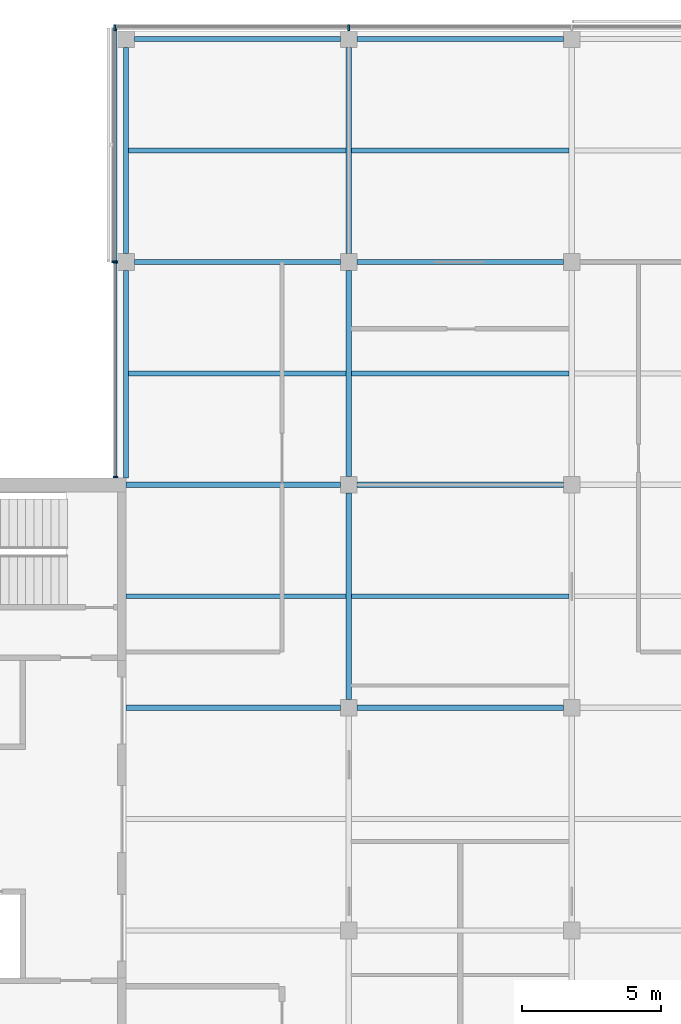
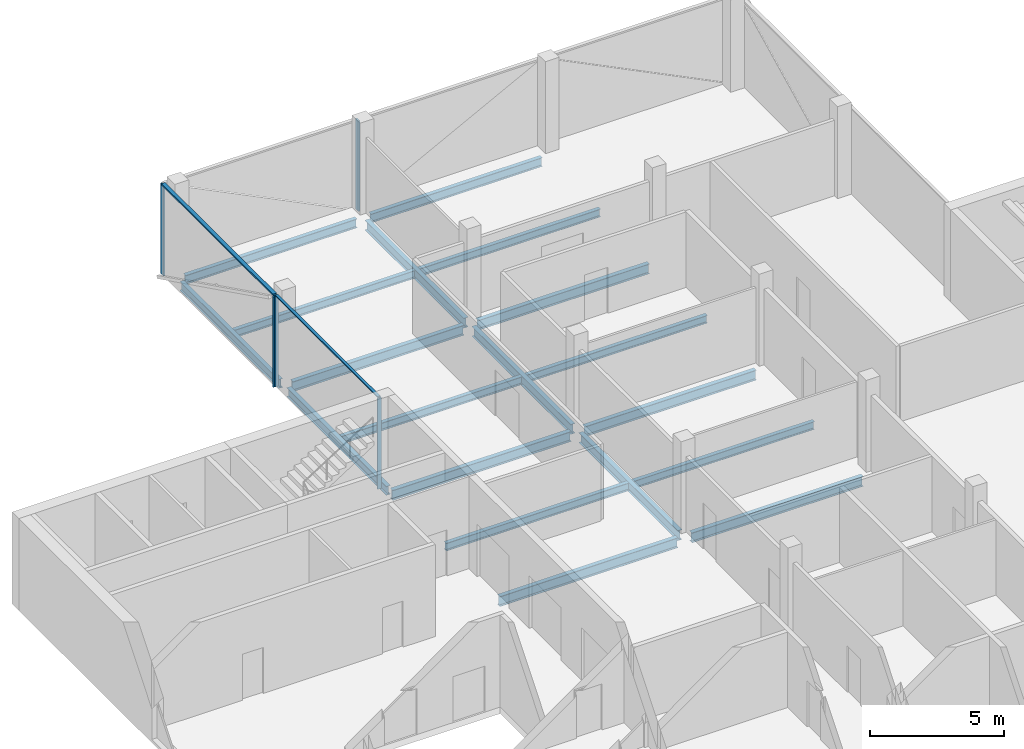
# One storey, part 5 of 15: 19 beams, 7 members, 3 elements without a shape of their own.
"""IFC4 building model written with IfcOpenShell, lengths in metres."""

from ifc_helpers import new_model, si_unit, direction, frame, origin, origin_2d, place, context, subcontext, project, spatial, rectangle, i_section, extrude, material, material_profile, profile_set, type_object, element, aggregate, save


model = new_model("IFC4")

# Units and contexts
model_context = context("Model", 3, precision=1e-05, world=origin(), true_north=direction((0.0, 1.0)))
body_context = subcontext(model_context, "Body", "Model", "MODEL_VIEW")
ifc_project = project(units=[si_unit("LENGTHUNIT", "METRE"), si_unit("AREAUNIT", "SQUARE_METRE"), si_unit("VOLUMEUNIT", "CUBIC_METRE"), si_unit("PLANEANGLEUNIT", "RADIAN"), si_unit("MASSUNIT", "GRAM", prefix="KILO")], contexts=[model_context])

# Site, building, storey
site_placement = place(None, origin())
site = spatial("IfcSite", under=ifc_project, at=site_placement, CompositionType="ELEMENT")
building_placement = place(site_placement, origin())
building = spatial("IfcBuilding", under=site, at=building_placement, Name="Crosswind Convention Tower", CompositionType="ELEMENT")
storey_placement = place(building_placement, frame((0.0, 0.0, 319.699951171875)))
storey = spatial("IfcBuildingStorey", under=building, at=storey_placement, Name="L69", CompositionType="ELEMENT", Elevation=319.699951171875)

# Beams
ifc_material_1 = material(Name="Steel S355", Category="steel")
ifc_material_profile_1 = material_profile(ifc_material_1, i_section(OverallWidth=0.177734375, OverallDepth=0.406494140625, WebThickness=0.0078125, FlangeThickness=0.0126953125, FilletRadius=0.01025390625, at=origin_2d()), Name="UB 406x178x60")
ifc_profile_set_1 = profile_set([ifc_material_profile_1], Name="Steel S355")
beam_type_1 = type_object("IfcBeamType", Name="Edge beam UB 406x178x60", PredefinedType="SPANDREL", material=ifc_profile_set_1)
beam_1_placement = place(storey_placement, frame((113.0, 112.25, -0.503173828125), z_axis=(0.0, 1.0, 0.0), x_axis=(-1.0, 0.0, 0.0)))
element("IfcBeam", 1, at=beam_1_placement, inside=storey, type_object=beam_type_1, Name="B15 L69 edge beam 3", PredefinedType="SPANDREL", context=body_context, shape_type="SweptSolid", body=[
    extrude(i_section(OverallWidth=0.177734375, OverallDepth=0.406494140625, WebThickness=0.0078125, FlangeThickness=0.0126953125, FilletRadius=0.01025390625, at=origin_2d()), origin(), (0.0, 0.0, 1.0), 7.449951171875),
])
for number, where, z_axis, x_axis, name in (
    (2, (113.0, 120.300048828125, -0.503173828125), (0.0, 1.0, 0.0), (-1.0, 0.0, 0.0), "B15 L69 edge beam 4"),
    (3, (113.300048828125, 128.0, -0.503173828125), (1.0, 0.0, 0.0), (0.0, 1.0, 0.0), "B15 L69 edge beam 6"),
    (4, (121.300048828125, 128.0, -0.503173828125), (1.0, 0.0, 0.0), (0.0, 1.0, 0.0), "B15 L69 edge beam 8"),
):
    element("IfcBeam", number, at=place(storey_placement, frame(where, z_axis=z_axis, x_axis=x_axis)), inside=storey, type_object=beam_type_1, Name=name, PredefinedType="SPANDREL", context=body_context, shape_type="SweptSolid", body=[
        extrude(i_section(OverallWidth=0.177734375, OverallDepth=0.406494140625, WebThickness=0.0078125, FlangeThickness=0.0126953125, FilletRadius=0.01025390625, at=origin_2d()), origin(), (0.0, 0.0, 1.0), 7.39990234375),
    ])
ifc_material_profile_2 = material_profile(ifc_material_1, i_section(OverallWidth=0.18994140625, OverallDepth=0.45361328125, WebThickness=0.008544921875, FlangeThickness=0.0126953125, FilletRadius=0.01025390625, at=origin_2d()), Name="UB 457x191x67")
ifc_profile_set_2 = profile_set([ifc_material_profile_2], Name="Steel S355")
beam_type_2 = type_object("IfcBeamType", Name="Girder UB 457x191x67", PredefinedType="BEAM", material=ifc_profile_set_2)
for number, where, z_axis, x_axis, name in (
    (5, (113.300048828125, 120.0, -0.52685546875), (1.0, 0.0, 0.0), (0.0, 1.0, 0.0), "B1 L69 girder 2"),
    (6, (121.0, 104.300048828125, -0.52685546875), (0.0, 1.0, 0.0), (-1.0, 0.0, 0.0), "B1 L69 girder 7"),
    (7, (121.0, 112.300048828125, -0.52685546875), (0.0, 1.0, 0.0), (-1.0, 0.0, 0.0), "B1 L69 girder 8"),
    (8, (121.0, 120.300048828125, -0.52685546875), (0.0, 1.0, 0.0), (-1.0, 0.0, 0.0), "B1 L69 girder 9"),
    (9, (121.300048828125, 104.0, -0.52685546875), (1.0, 0.0, 0.0), (0.0, 1.0, 0.0), "B1 L69 girder 13"),
    (10, (121.300048828125, 112.0, -0.52685546875), (1.0, 0.0, 0.0), (0.0, 1.0, 0.0), "B1 L69 girder 14"),
    (11, (121.300048828125, 120.0, -0.52685546875), (1.0, 0.0, 0.0), (0.0, 1.0, 0.0), "B1 L69 girder 15"),
):
    element("IfcBeam", number, at=place(storey_placement, frame(where, z_axis=z_axis, x_axis=x_axis)), inside=storey, type_object=beam_type_2, Name=name, PredefinedType="BEAM", context=body_context, shape_type="SweptSolid", body=[
        extrude(i_section(OverallWidth=0.18994140625, OverallDepth=0.45361328125, WebThickness=0.008544921875, FlangeThickness=0.0126953125, FilletRadius=0.01025390625, at=origin_2d()), origin(), (0.0, 0.0, 1.0), 7.39990234375),
    ])
ifc_material_profile_3 = material_profile(ifc_material_1, i_section(OverallWidth=0.1904296875, OverallDepth=0.457275390625, WebThickness=0.009033203125, FlangeThickness=0.014404296875, FilletRadius=0.01025390625, at=origin_2d()), Name="UB 457x191x75")
ifc_profile_set_3 = profile_set([ifc_material_profile_3], Name="Steel S355")
beam_type_3 = type_object("IfcBeamType", Name="Girder at core wall UB 457x191x75", PredefinedType="BEAM", material=ifc_profile_set_3)
for number, where, z_axis, x_axis, name in (
    (12, (113.0, 104.0, -0.528564453125), (1.0, 0.0, 0.0), (0.0, 1.0, 0.0), "B22 L69 girder at core wall 3"),
    (13, (113.0, 112.0, -0.528564453125), (1.0, 0.0, 0.0), (0.0, 1.0, 0.0), "B22 L69 girder at core wall 4"),
):
    element("IfcBeam", number, at=place(storey_placement, frame(where, z_axis=z_axis, x_axis=x_axis)), inside=storey, type_object=beam_type_3, Name=name, PredefinedType="BEAM", context=body_context, shape_type="SweptSolid", body=[
        extrude(i_section(OverallWidth=0.1904296875, OverallDepth=0.457275390625, WebThickness=0.009033203125, FlangeThickness=0.014404296875, FilletRadius=0.01025390625, at=origin_2d()), origin(), (0.0, 0.0, 1.0), 7.699951171875),
    ])

# Curtain wall, members
ifc_material_2 = material(Name="Aluminium unitised curtain wall", Category="aluminium")
curtain_wall_type_1 = type_object("IfcCurtainWallType", Name="CORE END SLOT WALL 160", PredefinedType="USERDEFINED", material=ifc_material_2)
curtain_wall_1_placement = place(storey_placement, origin())
curtain_wall_1 = element("IfcCurtainWall", 14, at=curtain_wall_1_placement, inside=storey, type_object=curtain_wall_type_1, Name="CW6 L69 N-W.1-2 slot", ObjectType="UNITISED", PredefinedType="USERDEFINED")
ifc_material_3 = material(Name="Aluminium mullion", Category="aluminium")
ifc_material_profile_4 = material_profile(ifc_material_3, rectangle(XDim=0.159912109375, YDim=0.050048828125, at=origin_2d()), Name="AL 160X50")
ifc_profile_set_4 = profile_set([ifc_material_profile_4], Name="Aluminium mullion")
member_type_1 = type_object("IfcMemberType", Name="MULLION 50X160", PredefinedType="MULLION", material=ifc_profile_set_4)
member_1_placement = place(storey_placement, frame((112.6201171875, 119.97509765625, -0.300048828125), z_axis=(0.0, 0.0, 1.0), x_axis=(-1.0, 0.0, 0.0)))
member_1 = element("IfcMember", 15, at=member_1_placement, type_object=member_type_1, Name="CW6 mullion 1", PredefinedType="MULLION", context=body_context, shape_type="SweptSolid", body=[
    extrude(rectangle(XDim=0.159912109375, YDim=0.050048828125, at=origin_2d()), origin(), (0.0, 0.0, 1.0), 4.150146484375),
])
member_2_placement = place(storey_placement, frame((112.6201171875, 112.27490234375, -0.300048828125), z_axis=(0.0, 0.0, 1.0), x_axis=(-1.0, 0.0, 0.0)))
member_2 = element("IfcMember", 16, at=member_2_placement, type_object=member_type_1, Name="CW6 mullion 2", PredefinedType="MULLION", context=body_context, shape_type="SweptSolid", body=[
    extrude(rectangle(XDim=0.159912109375, YDim=0.050048828125, at=origin_2d()), origin(), (0.0, 0.0, 1.0), 4.150146484375),
])

curtain_wall_type_2 = type_object("IfcCurtainWallType", Name="OFFICE UNITISED WALL 220", PredefinedType="USERDEFINED", material=ifc_material_2)
curtain_wall_2_placement = place(storey_placement, origin())
curtain_wall_2 = element("IfcCurtainWall", 17, at=curtain_wall_2_placement, inside=storey, type_object=curtain_wall_type_2, Name="CW3 L69 N-TIP 1", ObjectType="UNITISED", PredefinedType="USERDEFINED")
ifc_material_profile_5 = material_profile(ifc_material_3, rectangle(XDim=0.219970703125, YDim=0.070068359375, at=origin_2d()), Name="AL 220X70")
ifc_profile_set_5 = profile_set([ifc_material_profile_5], Name="Aluminium mullion")
member_type_2 = type_object("IfcMemberType", Name="MULLION 70X220", PredefinedType="MULLION", material=ifc_profile_set_5)
member_3_placement = place(storey_placement, frame((121.0, 128.409912109375, -0.300048828125), z_axis=(0.0, 0.0, 1.0), x_axis=(0.0, 1.0, 0.0)))
member_3 = element("IfcMember", 18, at=member_3_placement, type_object=member_type_2, Name="CW3 mullion 3", PredefinedType="MULLION", context=body_context, shape_type="SweptSolid", body=[
    extrude(rectangle(XDim=0.219970703125, YDim=0.070068359375, at=origin_2d()), origin(), (0.0, 0.0, 1.0), 4.130126953125),
])
member_4_placement = place(storey_placement, frame((112.590087890625, 128.409912109375, -0.300048828125), z_axis=(0.0, 0.0, 1.0), x_axis=(0.0, 1.0, 0.0)))
member_4 = element("IfcMember", 19, at=member_4_placement, type_object=member_type_2, Name="CW3 mullion 4", PredefinedType="MULLION", context=body_context, shape_type="SweptSolid", body=[
    extrude(rectangle(XDim=0.219970703125, YDim=0.070068359375, at=origin_2d()), origin(), (0.0, 0.0, 1.0), 4.130126953125),
])
aggregate(curtain_wall_2, [member_3, member_4])

# Curtain wall, member
curtain_wall_3_placement = place(storey_placement, origin())
curtain_wall_3 = element("IfcCurtainWall", 20, at=curtain_wall_3_placement, inside=storey, type_object=curtain_wall_type_2, Name="CW3 L69 N-W 1", ObjectType="UNITISED", PredefinedType="USERDEFINED")
member_5_placement = place(storey_placement, frame((112.590087890625, 120.0, -0.300048828125), z_axis=(0.0, 0.0, 1.0), x_axis=(-1.0, 0.0, 0.0)))
member_5 = element("IfcMember", 21, at=member_5_placement, type_object=member_type_2, Name="CW3 mullion 2", PredefinedType="MULLION", context=body_context, shape_type="SweptSolid", body=[
    extrude(rectangle(XDim=0.219970703125, YDim=0.070068359375, at=origin_2d()), origin(), (0.0, 0.0, 1.0), 4.130126953125),
])

# Beams
ifc_material_profile_6 = material_profile(ifc_material_1, i_section(OverallWidth=0.17138671875, OverallDepth=0.355712890625, WebThickness=0.00732421875, FlangeThickness=0.011474609375, FilletRadius=0.01025390625, at=origin_2d()), Name="UB 356x171x51")
ifc_profile_set_6 = profile_set([ifc_material_profile_6], Name="Steel S355")
beam_type_4 = type_object("IfcBeamType", Name="Secondary beam UB 356x171x51", PredefinedType="JOIST", material=ifc_profile_set_6)
beam_2_placement = place(storey_placement, frame((113.0, 108.0, -0.477783203125), z_axis=(1.0, 0.0, 0.0), x_axis=(0.0, 1.0, 0.0)))
element("IfcBeam", 22, at=beam_2_placement, inside=storey, type_object=beam_type_4, Name="B8 L69 secondary beam 3", PredefinedType="JOIST", context=body_context, shape_type="SweptSolid", body=[
    extrude(i_section(OverallWidth=0.17138671875, OverallDepth=0.355712890625, WebThickness=0.00732421875, FlangeThickness=0.011474609375, FilletRadius=0.01025390625, at=origin_2d()), origin(), (0.0, 0.0, 1.0), 7.905029296875),
])
for number, where, z_axis, x_axis, name in (
    (23, (113.0888671875, 116.0, -0.477783203125), (1.0, 0.0, 0.0), (0.0, 1.0, 0.0), "B8 L69 secondary beam 6"),
    (24, (113.0888671875, 124.0, -0.477783203125), (1.0, 0.0, 0.0), (0.0, 1.0, 0.0), "B8 L69 secondary beam 7"),
):
    element("IfcBeam", number, at=place(storey_placement, frame(where, z_axis=z_axis, x_axis=x_axis)), inside=storey, type_object=beam_type_4, Name=name, PredefinedType="JOIST", context=body_context, shape_type="SweptSolid", body=[
        extrude(i_section(OverallWidth=0.17138671875, OverallDepth=0.355712890625, WebThickness=0.00732421875, FlangeThickness=0.011474609375, FilletRadius=0.01025390625, at=origin_2d()), origin(), (0.0, 0.0, 1.0), 7.816162109375),
    ])
for number, where, z_axis, x_axis, name in (
    (25, (121.094970703125, 108.0, -0.477783203125), (1.0, 0.0, 0.0), (0.0, 1.0, 0.0), "B8 L69 secondary beam 12"),
    (26, (121.094970703125, 116.0, -0.477783203125), (1.0, 0.0, 0.0), (0.0, 1.0, 0.0), "B8 L69 secondary beam 13"),
    (27, (121.094970703125, 124.0, -0.477783203125), (1.0, 0.0, 0.0), (0.0, 1.0, 0.0), "B8 L69 secondary beam 14"),
):
    element("IfcBeam", number, at=place(storey_placement, frame(where, z_axis=z_axis, x_axis=x_axis)), inside=storey, type_object=beam_type_4, Name=name, PredefinedType="JOIST", context=body_context, shape_type="SweptSolid", body=[
        extrude(i_section(OverallWidth=0.17138671875, OverallDepth=0.355712890625, WebThickness=0.00732421875, FlangeThickness=0.011474609375, FilletRadius=0.01025390625, at=origin_2d()), origin(), (0.0, 0.0, 1.0), 7.81005859375),
    ])

# Member
ifc_material_4 = material(Name="Aluminium transom", Category="aluminium")
ifc_material_profile_7 = material_profile(ifc_material_4, rectangle(XDim=0.1201171875, YDim=0.050048828125, at=origin_2d()), Name="AL 120X50")
ifc_profile_set_7 = profile_set([ifc_material_profile_7], Name="Aluminium transom")
member_type_3 = type_object("IfcMemberType", Name="TRANSOM 50X120", PredefinedType="USERDEFINED", material=ifc_profile_set_7)
member_6_placement = place(storey_placement, frame((112.6201171875, 119.949951171875, 3.875), z_axis=(0.0, -1.0, 0.0), x_axis=(1.0, 0.0, 0.0)))
member_6 = element("IfcMember", 28, at=member_6_placement, type_object=member_type_3, Name="CW6 transom", ObjectType="TRANSOM", PredefinedType="USERDEFINED", context=body_context, shape_type="SweptSolid", body=[
    extrude(rectangle(XDim=0.1201171875, YDim=0.050048828125, at=origin_2d()), origin(), (0.0, 0.0, 1.0), 7.64990234375),
])

aggregate(curtain_wall_1, [member_1, member_2, member_6])

ifc_material_profile_8 = material_profile(ifc_material_4, rectangle(XDim=0.159912109375, YDim=0.070068359375, at=origin_2d()), Name="AL 160X70")
ifc_profile_set_8 = profile_set([ifc_material_profile_8], Name="Aluminium transom")
member_type_4 = type_object("IfcMemberType", Name="TRANSOM 70X160", PredefinedType="USERDEFINED", material=ifc_profile_set_8)
member_7_placement = place(storey_placement, frame((112.590087890625, 128.375, 3.864990234375), z_axis=(0.0, -1.0, 0.0), x_axis=(1.0, 0.0, 0.0)))
member_7 = element("IfcMember", 29, at=member_7_placement, type_object=member_type_4, Name="CW3 transom", ObjectType="TRANSOM", PredefinedType="USERDEFINED", context=body_context, shape_type="SweptSolid", body=[
    extrude(rectangle(XDim=0.159912109375, YDim=0.070068359375, at=origin_2d()), origin(), (0.0, 0.0, 1.0), 8.340087890625),
])

aggregate(curtain_wall_3, [member_5, member_7])

save(model, "model.ifc")
